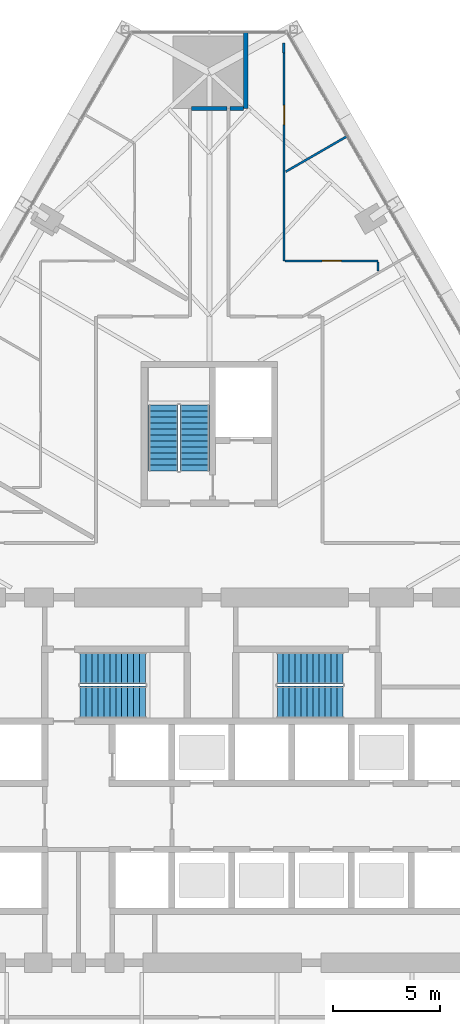
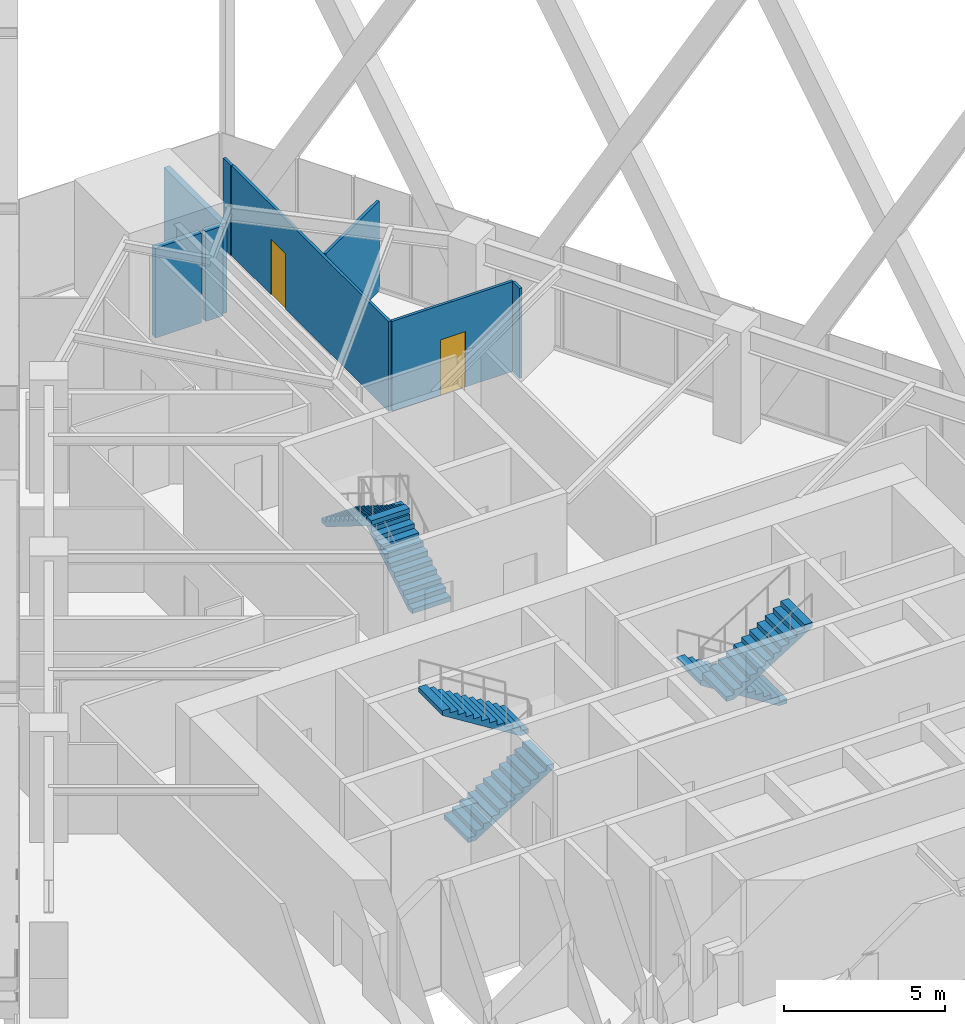
# One storey, part 19 of 21: 8 walls, 6 stair flights, 2 doors, 2 openings, 3 elements without a shape of their own.
"""IFC4 building model written with IfcOpenShell, lengths in metres."""

import ifcopenshell
import ifcopenshell.guid

model = None  # the IFC model being written
_history = None  # IfcOwnerHistory: only IFC2X3 demands one
_inside = {}  # id of a spatial element -> (the spatial element, [elements in it])
_under = {}  # id of a project, library or spatial element -> (it, [spatial elements below it])
_declared = {}  # id of a project -> (the project, [libraries it declares])
_typed = {}  # id of a type object -> (the type object, [elements of that type])
_made_of = {}  # id of a material, layer set ... -> (it, [elements and type objects made of it])


def new_model(schema):
    """Start an empty IFC model of exactly this schema.

    Asked for "IFC4X3", IfcOpenShell would pick the latest addendum, in which some entities
    have other attributes; the version numbers below select the first issue.
    IFC2X3 requires an IfcOwnerHistory on every rooted entity: one is made here for all.
    """
    global model, _history
    if schema == "IFC4X3":
        model = ifcopenshell.file(schema_version=(4, 3, 0, 0))
    else:
        model = ifcopenshell.file(schema=schema)
    _inside.clear()
    _under.clear()
    _declared.clear()
    _typed.clear()
    _made_of.clear()
    _history = None
    if model.schema == "IFC2X3":
        org = make("IfcOrganization", Name="unknown")
        user = make(
            "IfcPersonAndOrganization",
            ThePerson=make("IfcPerson", FamilyName="unknown"),
            TheOrganization=org,
        )
        app = make(
            "IfcApplication",
            ApplicationDeveloper=org,
            Version="unknown",
            ApplicationFullName="unknown",
            ApplicationIdentifier="unknown",
        )
        _history = make(
            "IfcOwnerHistory",
            OwningUser=user,
            OwningApplication=app,
            ChangeAction="ADDED",
            CreationDate=0,
        )
    return model


def make(cls, **values):
    """One entity of the class cls with the attributes given. An attribute that is None is left unset."""
    return model.create_entity(
        cls, **{name: value for name, value in values.items() if value is not None}
    )


def rooted(cls, **values):
    """An entity with a GlobalId (a new one), such as an element, a storey or a relation."""
    return make(cls, GlobalId=ifcopenshell.guid.new(), OwnerHistory=_history, **values)


def si_unit(unit_type, name, prefix=None):
    """IfcSIUnit, for example si_unit("LENGTHUNIT", "METRE", prefix="MILLI")."""
    return make("IfcSIUnit", UnitType=unit_type, Prefix=prefix, Name=name)


def assignment(units):
    """IfcUnitAssignment: the units of a project."""
    return None if units is None else make("IfcUnitAssignment", Units=units)


def point(xyz):
    """IfcCartesianPoint."""
    return None if xyz is None else make("IfcCartesianPoint", Coordinates=xyz)


def direction(xyz):
    """IfcDirection."""
    return None if xyz is None else make("IfcDirection", DirectionRatios=xyz)


def frame(location, z_axis=None, x_axis=None):
    """IfcAxis2Placement3D, a coordinate frame: its origin and axes. An axis left out is left unset."""
    return make(
        "IfcAxis2Placement3D",
        Location=point(location),
        Axis=direction(z_axis),
        RefDirection=direction(x_axis),
    )


def frame_2d(location, x_axis=None):
    """IfcAxis2Placement2D, a coordinate frame in the plane: its origin and x axis."""
    return make(
        "IfcAxis2Placement2D", Location=point(location), RefDirection=direction(x_axis)
    )


def origin():
    """The frame at (0, 0, 0) with its axes left unset."""
    return frame((0.0, 0.0, 0.0))


def place(relative_to, where):
    """IfcLocalPlacement: puts the frame where relative to a parent placement (None: the world)."""
    return make(
        "IfcLocalPlacement", PlacementRelTo=relative_to, RelativePlacement=where
    )


def context(
    kind, dimensions, precision=None, world=None, true_north=None, identifier=None
):
    """IfcGeometricRepresentationContext, for example the 3D "Model" context."""
    return make(
        "IfcGeometricRepresentationContext",
        ContextIdentifier=identifier,
        ContextType=kind,
        CoordinateSpaceDimension=dimensions,
        Precision=precision,
        WorldCoordinateSystem=world,
        TrueNorth=true_north,
    )


def subcontext(parent, identifier, kind, view, scale=None):
    """IfcGeometricRepresentationSubContext, for example "Body" below "Model"."""
    return make(
        "IfcGeometricRepresentationSubContext",
        ContextIdentifier=identifier,
        ContextType=kind,
        ParentContext=parent,
        TargetScale=scale,
        TargetView=view,
    )


def project(units=None, contexts=None):
    """IfcProject with its units and contexts."""
    return rooted(
        "IfcProject",
        Name="project",
        RepresentationContexts=contexts,
        UnitsInContext=assignment(units),
    )


def spatial(cls, under=None, at=None, **own):
    """A site, building, storey or space (cls), placed at a placement, below another one or the project."""
    s = rooted(cls, ObjectPlacement=at, **own)
    if under is not None:
        _under.setdefault(under.id(), (under, []))[1].append(s)
    return s


def polyline(points):
    """IfcPolyline through the points."""
    return make("IfcPolyline", Points=[point(p) for p in points])


def profile(cls, at=None, kind="AREA", **sizes):
    """A parametric profile (cls). Its sizes go by their IFC names, for example OverallWidth=200.0."""
    return make(cls, ProfileType=kind, Position=at, **sizes)


def rectangle(**sizes):
    """IfcRectangleProfileDef."""
    return profile("IfcRectangleProfileDef", **sizes)


def outline(outer, holes=None, kind="AREA"):
    """IfcArbitraryClosedProfileDef: a profile drawn as a closed curve; with holes, ...WithVoids."""
    if holes is None:
        return make("IfcArbitraryClosedProfileDef", ProfileType=kind, OuterCurve=outer)
    return make(
        "IfcArbitraryProfileDefWithVoids",
        ProfileType=kind,
        OuterCurve=outer,
        InnerCurves=holes,
    )


def extrude(swept, where, along, depth):
    """IfcExtrudedAreaSolid: the profile swept, set in the frame where, extruded along a direction by depth."""
    return make(
        "IfcExtrudedAreaSolid",
        SweptArea=swept,
        Position=where,
        ExtrudedDirection=direction(along),
        Depth=depth,
    )


def shape(context_of_items, identifier, shape_type, items):
    """IfcShapeRepresentation: the items that make up one representation, for example the "Body"."""
    return make(
        "IfcShapeRepresentation",
        ContextOfItems=context_of_items,
        RepresentationIdentifier=identifier,
        RepresentationType=shape_type,
        Items=items,
    )


def material(Name=None, Category=None):
    """IfcMaterial."""
    return make("IfcMaterial", Name=Name, Category=Category)


def layer(
    of_material, thickness, ventilated=None, Name=None, Category=None, Priority=None
):
    """IfcMaterialLayer: one layer of a wall or slab, of a material (None: an air gap)."""
    return make(
        "IfcMaterialLayer",
        Material=of_material,
        LayerThickness=thickness,
        IsVentilated=ventilated,
        Name=Name,
        Category=Category,
        Priority=Priority,
    )


def layer_set(layers, Name=None):
    """IfcMaterialLayerSet."""
    return make("IfcMaterialLayerSet", MaterialLayers=layers, LayerSetName=Name)


def made_of(thing, what):
    """Note that an element or type object is made of a material, layer set ...; save() writes the relation."""
    if what is not None:
        _made_of.setdefault(what.id(), (what, []))[1].append(thing)
    return thing


def type_object(cls, material=None, **own):
    """A type object (cls), such as IfcWallType, which elements share."""
    return made_of(rooted(cls, **own), material)


def element(
    cls,
    number,
    at=None,
    inside=None,
    cuts=None,
    type_object=None,
    material=None,
    context=None,
    identifier="Body",
    shape_type=None,
    held_by="IfcProductDefinitionShape",
    body=None,
    shapes=None,
    **own,
):
    """One element of the class cls, such as IfcWall. Its Tag is "e" and its number.

    at: its placement. inside: the storey or other place that contains it. cuts: it is an
    opening in that element (IfcRelVoidsElement). A single representation is given by context,
    identifier, shape_type and body (its items); several are given by shapes. held_by: the class
    of the entity that holds the representations. save() writes the other relations.
    """
    e = rooted(cls, Tag="e%d" % number, ObjectPlacement=at, **own)
    if body is not None:
        shapes = [shape(context, identifier, shape_type, body)]
    if shapes is not None:
        e.Representation = make(held_by, Representations=shapes)
    if inside is not None:
        _inside.setdefault(inside.id(), (inside, []))[1].append(e)
    if cuts is not None:
        rooted(
            "IfcRelVoidsElement", RelatingBuildingElement=cuts, RelatedOpeningElement=e
        )
    if type_object is not None:
        _typed.setdefault(type_object.id(), (type_object, []))[1].append(e)
    return made_of(e, material)


def fill(opening, filler):
    """IfcRelFillsElement: the door or window that sits in an opening."""
    return rooted(
        "IfcRelFillsElement",
        RelatingOpeningElement=opening,
        RelatedBuildingElement=filler,
    )


def aggregate(whole, parts):
    """IfcRelAggregates: a whole, such as a stair, and the parts it consists of."""
    return rooted("IfcRelAggregates", RelatingObject=whole, RelatedObjects=parts)


def save(model, path):
    """Write the relations noted so far, then the file.

    IfcRelAggregates (storeys below a building ...), IfcRelContainedInSpatialStructure (elements
    in a storey), IfcRelDefinesByType, IfcRelAssociatesMaterial and IfcRelDeclares: one each for
    every whole, place, type object, material and project.
    """
    for whole, parts in _under.values():
        aggregate(whole, parts)
    for where, things in _inside.values():
        rooted(
            "IfcRelContainedInSpatialStructure",
            RelatedElements=things,
            RelatingStructure=where,
        )
    for kind, things in _typed.values():
        rooted("IfcRelDefinesByType", RelatedObjects=things, RelatingType=kind)
    for what, things in _made_of.values():
        rooted("IfcRelAssociatesMaterial", RelatedObjects=things, RelatingMaterial=what)
    for by, libraries in _declared.values():
        rooted("IfcRelDeclares", RelatingContext=by, RelatedDefinitions=libraries)
    model.write(path)


model = new_model("IFC4")

# Units and contexts
model_context = context("Model", 3, precision=1e-05, world=origin(), true_north=direction((0.0, 1.0)))
body_context = subcontext(model_context, "Body", "Model", "MODEL_VIEW")
ifc_project = project(units=[si_unit("LENGTHUNIT", "METRE"), si_unit("AREAUNIT", "SQUARE_METRE"), si_unit("VOLUMEUNIT", "CUBIC_METRE"), si_unit("PLANEANGLEUNIT", "RADIAN"), si_unit("MASSUNIT", "GRAM", prefix="KILO")], contexts=[model_context])

# Site, building, storey
site_placement = place(None, origin())
site = spatial("IfcSite", under=ifc_project, at=site_placement, CompositionType="ELEMENT")
building_placement = place(site_placement, origin())
building = spatial("IfcBuilding", under=site, at=building_placement, Name="Firuza Gate Tower and Library", CompositionType="ELEMENT")
storey_placement = place(building_placement, frame((0.0, 0.0, 73.60009765625)))
storey = spatial("IfcBuildingStorey", under=building, at=storey_placement, Name="L16", CompositionType="ELEMENT", Elevation=73.60009765625)

# Walls
ifc_material_1 = material(Name="Gypsum board partition")
ifc_layer_1 = layer(ifc_material_1, 0.199951171875)
ifc_layer_set_1 = layer_set([ifc_layer_1], Name="Demising wall 200 acoustic double stud")
wall_type_1 = type_object("IfcWallType", Name="Demising wall 200 acoustic double stud", PredefinedType="PARTITIONING", material=ifc_layer_set_1)
wall_1_placement = place(storey_placement, frame((74.175537109375, 106.43701171875, 0.0), z_axis=(0.0, 0.0, 1.0), x_axis=(1.0, 0.0, 0.0)))
element("IfcWall", 1, at=wall_1_placement, inside=storey, type_object=wall_type_1, Name="f:L16:w012", PredefinedType="PARTITIONING", context=body_context, shape_type="SweptSolid", body=[
    extrude(rectangle(XDim=1.6494140625, YDim=0.199951171875, at=frame_2d((0.82470703125, 0.0))), origin(), (0.0, 0.0, 1.0), 3.39697265625),
])
wall_2_placement = place(storey_placement, frame((76.699951171875, 106.43701171875, 0.0), z_axis=(0.0, 0.0, 1.0), x_axis=(0.0, 1.0, 0.0)))
element("IfcWall", 2, at=wall_2_placement, inside=storey, type_object=wall_type_1, Name="f:L16:w039", PredefinedType="PARTITIONING", context=body_context, shape_type="SweptSolid", body=[
    extrude(rectangle(XDim=3.5595703125, YDim=0.199951171875, at=frame_2d((1.77978515625, 0.0))), origin(), (0.0, 0.0, 1.0), 3.39990234375),
])
wall_3_placement = place(storey_placement, frame((75.97509765625, 106.43701171875, 0.0), z_axis=(0.0, 0.0, 1.0), x_axis=(1.0, 0.0, 0.0)))
element("IfcWall", 3, at=wall_3_placement, inside=storey, type_object=wall_type_1, Name="f:L16:w076", PredefinedType="PARTITIONING", context=body_context, shape_type="SweptSolid", body=[
    extrude(rectangle(XDim=0.62451171875, YDim=0.199951171875, at=frame_2d((0.312255859375, 0.0))), origin(), (0.0, 0.0, 1.0), 3.39990234375),
])

# Wall, opening, door
ifc_material_2 = material(Name="Gypsum board partition")
ifc_layer_2 = layer(ifc_material_2, 0.10009765625)
ifc_layer_set_2 = layer_set([ifc_layer_2], Name="Partition 100 gypsum board on steel studs")
wall_type_2 = type_object("IfcWallType", Name="Partition 100 gypsum board on steel studs", PredefinedType="PARTITIONING", material=ifc_layer_set_2)
wall_4_placement = place(storey_placement, frame((78.550048828125, 99.300048828125, 0.0), z_axis=(0.0, 0.0, 1.0), x_axis=(1.0, 0.0, 0.0)))
wall_4 = element("IfcWall", 4, at=wall_4_placement, inside=storey, type_object=wall_type_2, Name="f:L16:w011", PredefinedType="PARTITIONING", context=body_context, shape_type="SweptSolid", body=[
    extrude(rectangle(XDim=4.349365234375, YDim=0.10009765625, at=frame_2d((2.1748046875, 0.0))), origin(), (0.0, 0.0, 1.0), 3.39990234375),
])
opening_1_placement = place(wall_4_placement, frame((1.724853515625, 0.0, 0.0)))
opening_1 = element("IfcOpeningElement", 5, at=opening_1_placement, cuts=wall_4, Name="Opening L16-15", PredefinedType="OPENING", context=body_context, shape_type="SweptSolid", body=[
    extrude(rectangle(XDim=0.89990234375, YDim=2.10009765625, at=frame_2d((0.449951171875, 1.050048828125))), frame((0.0, 0.06005859375, 0.0), z_axis=(0.0, -1.0, 0.0), x_axis=(1.0, 0.0, 0.0)), (0.0, 0.0, 1.0), 0.1201171875),
])
ifc_material_3 = material(Name="Timber door", Category="wood")
door_type = type_object("IfcDoorType", Name="Door 900 x 2100 timber leaf", OperationType="NOTDEFINED", PredefinedType="DOOR", material=ifc_material_3)
door_1_placement = place(opening_1_placement, origin())
door_1 = element("IfcDoor", 6, at=door_1_placement, inside=storey, type_object=door_type, Name="f:L16:d015", OperationType="SINGLE_SWING_RIGHT", OverallHeight=2.10009765625, OverallWidth=0.89990234375, PredefinedType="DOOR", context=body_context, shape_type="SweptSolid", body=[
    extrude(rectangle(XDim=0.89990234375, YDim=2.10009765625, at=frame_2d((0.449951171875, 1.050048828125))), frame((0.0, 0.02490234375, 0.0), z_axis=(0.0, -1.0, 0.0), x_axis=(1.0, 0.0, 0.0)), (0.0, 0.0, 1.0), 0.050048828125),
])
fill(opening_1, door_1)

# Walls
wall_5_placement = place(storey_placement, frame((78.57568359375, 103.47607421875, 0.0), z_axis=(0.0, 0.0, 1.0), x_axis=(0.866043162687, 0.499969239416, 0.0)))
element("IfcWall", 7, at=wall_5_placement, inside=storey, type_object=wall_type_2, Name="f:L16:w024", PredefinedType="PARTITIONING", context=body_context, shape_type="SweptSolid", body=[
    extrude(rectangle(XDim=3.311279296875, YDim=0.10009765625, at=frame_2d((1.65576171875, 0.0))), origin(), (0.0, 0.0, 1.0), 3.39990234375),
])
wall_6_placement = place(storey_placement, frame((82.89990234375, 98.816162109375, 0.0), z_axis=(0.0, 0.0, 1.0), x_axis=(0.0, 1.0, 0.0)))
element("IfcWall", 8, at=wall_6_placement, inside=storey, type_object=wall_type_2, Name="f:L16:w034", PredefinedType="PARTITIONING", context=body_context, shape_type="SweptSolid", body=[
    extrude(rectangle(XDim=0.433349609375, YDim=0.10009765625, at=frame_2d((0.216796875, 0.0))), origin(), (0.0, 0.0, 1.0), 3.39990234375),
])

# Wall, opening, door
wall_7_placement = place(storey_placement, frame((78.5, 99.300048828125, 0.0), z_axis=(0.0, 0.0, 1.0), x_axis=(0.0, 1.0, 0.0)))
wall_7 = element("IfcWall", 9, at=wall_7_placement, inside=storey, type_object=wall_type_2, Name="f:L16:w036", PredefinedType="PARTITIONING", context=body_context, shape_type="SweptSolid", body=[
    extrude(rectangle(XDim=9.73583984375, YDim=0.10009765625, at=frame_2d((4.867919921875, 0.0))), origin(), (0.0, 0.0, 1.0), 3.39990234375),
])
opening_2_placement = place(wall_7_placement, frame((6.38232421875, 0.0, 0.0)))
opening_2 = element("IfcOpeningElement", 10, at=opening_2_placement, cuts=wall_7, Name="Opening L16-24", PredefinedType="OPENING", context=body_context, shape_type="SweptSolid", body=[
    extrude(rectangle(XDim=0.89990234375, YDim=2.10009765625, at=frame_2d((0.449951171875, 1.050048828125))), frame((0.0, 0.06005859375, 0.0), z_axis=(0.0, -1.0, 0.0), x_axis=(1.0, 0.0, 0.0)), (0.0, 0.0, 1.0), 0.1201171875),
])
door_2_placement = place(opening_2_placement, origin())
door_2 = element("IfcDoor", 11, at=door_2_placement, inside=storey, type_object=door_type, Name="f:L16:d024", OperationType="SINGLE_SWING_LEFT", OverallHeight=2.10009765625, OverallWidth=0.89990234375, PredefinedType="DOOR", context=body_context, shape_type="SweptSolid", body=[
    extrude(rectangle(XDim=0.89990234375, YDim=2.10009765625, at=frame_2d((0.449951171875, 1.050048828125))), frame((0.0, 0.02490234375, 0.0), z_axis=(0.0, -1.0, 0.0), x_axis=(1.0, 0.0, 0.0)), (0.0, 0.0, 1.0), 0.050048828125),
])
fill(opening_2, door_2)

# Wall
wall_8_placement = place(storey_placement, frame((78.48095703125, 109.03662109375, 0.0), z_axis=(0.0, 0.0, 1.0), x_axis=(0.0, 1.0, 0.0)))
element("IfcWall", 12, at=wall_8_placement, inside=storey, type_object=wall_type_2, Name="f:L16:w037", PredefinedType="PARTITIONING", context=body_context, shape_type="SweptSolid", body=[
    extrude(rectangle(XDim=0.47314453125, YDim=0.10009765625, at=frame_2d((0.236572265625, 0.0))), origin(), (0.0, 0.0, 1.0), 3.39990234375),
])

# Stair, stair flights
ifc_material_4 = material(Name="Concrete C35/45", Category="concrete")
stair_type_1 = type_object("IfcStairType", Name="Exit stair ST14", PredefinedType="HALF_TURN_STAIR", material=ifc_material_4)
placement = place(storey_placement, origin())
stair_1 = element("IfcStair", 13, at=placement, inside=storey, type_object=stair_type_1, Name="L16 Stair ST3", PredefinedType="HALF_TURN_STAIR")
ifc_material_5 = material(Name="Concrete C35/45", Category="concrete")
stair_flight_type_1 = type_object("IfcStairFlightType", Name="Stair flight 12 risers 175 width 1370", PredefinedType="STRAIGHT", material=ifc_material_5)
stair_flight_1_placement = place(storey_placement, frame((74.31494140625, 89.469970703125, 0.0), z_axis=(0.0, 0.0, 1.0), x_axis=(0.0, 1.0, 0.0)))
stair_flight_1 = element("IfcStairFlight", 14, at=stair_flight_1_placement, type_object=stair_flight_type_1, Name="ST3 flight 1", NumberOfRisers=12, NumberOfTreads=11, PredefinedType="STRAIGHT", RiserHeight=0.175, TreadLength=0.28, context=body_context, shape_type="SweptSolid", body=[
    extrude(outline(polyline([(0.0, 0.0), (0.0, 0.175048828125), (0.280029296875, 0.175048828125), (0.280029296875, 0.35009765625), (0.56005859375, 0.35009765625), (0.56005859375, 0.52490234375), (0.840087890625, 0.52490234375), (0.840087890625, 0.699951171875), (1.1201171875, 0.699951171875), (1.1201171875, 0.875), (1.39990234375, 0.875), (1.39990234375, 1.050048828125), (1.679931640625, 1.050048828125), (1.679931640625, 1.22509765625), (1.9599609375, 1.22509765625), (1.9599609375, 1.39990234375), (2.239990234375, 1.39990234375), (2.239990234375, 1.574951171875), (2.52001953125, 1.574951171875), (2.52001953125, 1.75), (2.800048828125, 1.75), (2.800048828125, 1.925048828125), (3.080078125, 1.925048828125), (3.080078125, 2.10009765625), (3.080078125, 1.748291015625), (0.28271484375, 0.0), (0.0, 0.0)])), frame((0.0, 0.68505859375, 0.0), z_axis=(0.0, -1.0, 0.0), x_axis=(1.0, 0.0, 0.0)), (0.0, 0.0, 1.0), 1.3701171875),
])
stair_flight_2_placement = place(storey_placement, frame((72.844970703125, 92.550048828125, 2.099853515625), z_axis=(0.0, 0.0, 1.0), x_axis=(0.0, -1.0, 0.0)))
stair_flight_2 = element("IfcStairFlight", 15, at=stair_flight_2_placement, type_object=stair_flight_type_1, Name="ST3 flight 2", NumberOfRisers=12, NumberOfTreads=11, PredefinedType="STRAIGHT", RiserHeight=0.175, TreadLength=0.28, context=body_context, shape_type="SweptSolid", body=[
    extrude(outline(polyline([(0.0, 0.0), (0.0, 0.175048828125), (0.280029296875, 0.175048828125), (0.280029296875, 0.35009765625), (0.56005859375, 0.35009765625), (0.56005859375, 0.52490234375), (0.840087890625, 0.52490234375), (0.840087890625, 0.699951171875), (1.1201171875, 0.699951171875), (1.1201171875, 0.875), (1.39990234375, 0.875), (1.39990234375, 1.050048828125), (1.679931640625, 1.050048828125), (1.679931640625, 1.22509765625), (1.9599609375, 1.22509765625), (1.9599609375, 1.39990234375), (2.239990234375, 1.39990234375), (2.239990234375, 1.574951171875), (2.52001953125, 1.574951171875), (2.52001953125, 1.75), (2.800048828125, 1.75), (2.800048828125, 1.925048828125), (3.080078125, 1.925048828125), (3.080078125, 2.10009765625), (3.080078125, 1.748291015625), (0.28271484375, 0.0), (0.0, 0.0)])), frame((0.0, 0.68505859375, 0.0), z_axis=(0.0, -1.0, 0.0), x_axis=(1.0, 0.0, 0.0)), (0.0, 0.0, 1.0), 1.3701171875),
])
aggregate(stair_1, [stair_flight_1, stair_flight_2])

ifc_material_6 = material(Name="Concrete C35/45", Category="concrete")
stair_type_2 = type_object("IfcStairType", Name="Exit stair ST5", PredefinedType="HALF_TURN_STAIR", material=ifc_material_6)
stair_2 = element("IfcStair", 16, at=placement, inside=storey, type_object=stair_type_2, Name="L16 Stair ST1", PredefinedType="HALF_TURN_STAIR")
ifc_material_7 = material(Name="Concrete C35/45", Category="concrete")
stair_flight_type_2 = type_object("IfcStairFlightType", Name="Stair flight 12 risers 175 width 1490", PredefinedType="STRAIGHT", material=ifc_material_7)
stair_flight_3_placement = place(storey_placement, frame((68.93994140625, 78.64501953125, 0.0), z_axis=(0.0, 0.0, 1.0), x_axis=(1.0, 0.0, 0.0)))
stair_flight_3 = element("IfcStairFlight", 17, at=stair_flight_3_placement, type_object=stair_flight_type_2, Name="ST1 flight 1", NumberOfRisers=12, NumberOfTreads=11, PredefinedType="STRAIGHT", RiserHeight=0.175, TreadLength=0.28, context=body_context, shape_type="SweptSolid", body=[
    extrude(outline(polyline([(0.0, 0.0), (0.0, 0.175048828125), (0.280029296875, 0.175048828125), (0.280029296875, 0.35009765625), (0.56005859375, 0.35009765625), (0.56005859375, 0.52490234375), (0.840087890625, 0.52490234375), (0.840087890625, 0.699951171875), (1.1201171875, 0.699951171875), (1.1201171875, 0.875), (1.39990234375, 0.875), (1.39990234375, 1.050048828125), (1.679931640625, 1.050048828125), (1.679931640625, 1.22509765625), (1.9599609375, 1.22509765625), (1.9599609375, 1.39990234375), (2.239990234375, 1.39990234375), (2.239990234375, 1.574951171875), (2.52001953125, 1.574951171875), (2.52001953125, 1.75), (2.800048828125, 1.75), (2.800048828125, 1.925048828125), (3.080078125, 1.925048828125), (3.080078125, 2.10009765625), (3.080078125, 1.748291015625), (0.28271484375, 0.0), (0.0, 0.0)])), frame((0.0, 0.7451171875, 0.0), z_axis=(0.0, -1.0, 0.0), x_axis=(1.0, 0.0, 0.0)), (0.0, 0.0, 1.0), 1.489990234375),
])
stair_flight_4_placement = place(storey_placement, frame((72.02001953125, 80.235107421875, 2.099853515625), z_axis=(0.0, 0.0, 1.0), x_axis=(-1.0, 0.0, 0.0)))
stair_flight_4 = element("IfcStairFlight", 18, at=stair_flight_4_placement, type_object=stair_flight_type_2, Name="ST1 flight 2", NumberOfRisers=12, NumberOfTreads=11, PredefinedType="STRAIGHT", RiserHeight=0.175, TreadLength=0.28, context=body_context, shape_type="SweptSolid", body=[
    extrude(outline(polyline([(0.0, 0.0), (0.0, 0.175048828125), (0.280029296875, 0.175048828125), (0.280029296875, 0.35009765625), (0.56005859375, 0.35009765625), (0.56005859375, 0.52490234375), (0.840087890625, 0.52490234375), (0.840087890625, 0.699951171875), (1.1201171875, 0.699951171875), (1.1201171875, 0.875), (1.39990234375, 0.875), (1.39990234375, 1.050048828125), (1.679931640625, 1.050048828125), (1.679931640625, 1.22509765625), (1.9599609375, 1.22509765625), (1.9599609375, 1.39990234375), (2.239990234375, 1.39990234375), (2.239990234375, 1.574951171875), (2.52001953125, 1.574951171875), (2.52001953125, 1.75), (2.800048828125, 1.75), (2.800048828125, 1.925048828125), (3.080078125, 1.925048828125), (3.080078125, 2.10009765625), (3.080078125, 1.748291015625), (0.28271484375, 0.0), (0.0, 0.0)])), frame((0.0, 0.7451171875, 0.0), z_axis=(0.0, -1.0, 0.0), x_axis=(1.0, 0.0, 0.0)), (0.0, 0.0, 1.0), 1.489990234375),
])
aggregate(stair_2, [stair_flight_3, stair_flight_4])

stair_3 = element("IfcStair", 19, at=placement, inside=storey, type_object=stair_type_2, Name="L16 Stair ST2", PredefinedType="HALF_TURN_STAIR")
stair_flight_5_placement = place(storey_placement, frame((81.260009765625, 80.235107421875, 0.0), z_axis=(0.0, 0.0, 1.0), x_axis=(-1.0, 0.0, 0.0)))
stair_flight_5 = element("IfcStairFlight", 20, at=stair_flight_5_placement, type_object=stair_flight_type_2, Name="ST2 flight 1", NumberOfRisers=12, NumberOfTreads=11, PredefinedType="STRAIGHT", RiserHeight=0.175, TreadLength=0.28, context=body_context, shape_type="SweptSolid", body=[
    extrude(outline(polyline([(0.0, 0.0), (0.0, 0.175048828125), (0.280029296875, 0.175048828125), (0.280029296875, 0.35009765625), (0.56005859375, 0.35009765625), (0.56005859375, 0.52490234375), (0.840087890625, 0.52490234375), (0.840087890625, 0.699951171875), (1.1201171875, 0.699951171875), (1.1201171875, 0.875), (1.39990234375, 0.875), (1.39990234375, 1.050048828125), (1.679931640625, 1.050048828125), (1.679931640625, 1.22509765625), (1.9599609375, 1.22509765625), (1.9599609375, 1.39990234375), (2.239990234375, 1.39990234375), (2.239990234375, 1.574951171875), (2.52001953125, 1.574951171875), (2.52001953125, 1.75), (2.800048828125, 1.75), (2.800048828125, 1.925048828125), (3.080078125, 1.925048828125), (3.080078125, 2.10009765625), (3.080078125, 1.748291015625), (0.28271484375, 0.0), (0.0, 0.0)])), frame((0.0, 0.7451171875, 0.0), z_axis=(0.0, -1.0, 0.0), x_axis=(1.0, 0.0, 0.0)), (0.0, 0.0, 1.0), 1.489990234375),
])
stair_flight_6_placement = place(storey_placement, frame((78.179931640625, 78.64501953125, 2.099853515625), z_axis=(0.0, 0.0, 1.0), x_axis=(1.0, 0.0, 0.0)))
stair_flight_6 = element("IfcStairFlight", 21, at=stair_flight_6_placement, type_object=stair_flight_type_2, Name="ST2 flight 2", NumberOfRisers=12, NumberOfTreads=11, PredefinedType="STRAIGHT", RiserHeight=0.175, TreadLength=0.28, context=body_context, shape_type="SweptSolid", body=[
    extrude(outline(polyline([(0.0, 0.0), (0.0, 0.175048828125), (0.280029296875, 0.175048828125), (0.280029296875, 0.35009765625), (0.56005859375, 0.35009765625), (0.56005859375, 0.52490234375), (0.840087890625, 0.52490234375), (0.840087890625, 0.699951171875), (1.1201171875, 0.699951171875), (1.1201171875, 0.875), (1.39990234375, 0.875), (1.39990234375, 1.050048828125), (1.679931640625, 1.050048828125), (1.679931640625, 1.22509765625), (1.9599609375, 1.22509765625), (1.9599609375, 1.39990234375), (2.239990234375, 1.39990234375), (2.239990234375, 1.574951171875), (2.52001953125, 1.574951171875), (2.52001953125, 1.75), (2.800048828125, 1.75), (2.800048828125, 1.925048828125), (3.080078125, 1.925048828125), (3.080078125, 2.10009765625), (3.080078125, 1.748291015625), (0.28271484375, 0.0), (0.0, 0.0)])), frame((0.0, 0.7451171875, 0.0), z_axis=(0.0, -1.0, 0.0), x_axis=(1.0, 0.0, 0.0)), (0.0, 0.0, 1.0), 1.489990234375),
])
aggregate(stair_3, [stair_flight_5, stair_flight_6])

save(model, "model.ifc")
